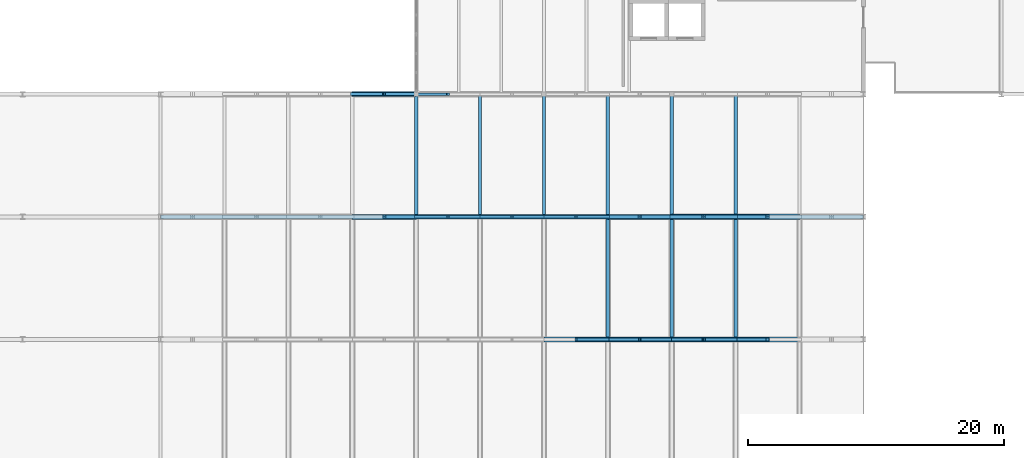
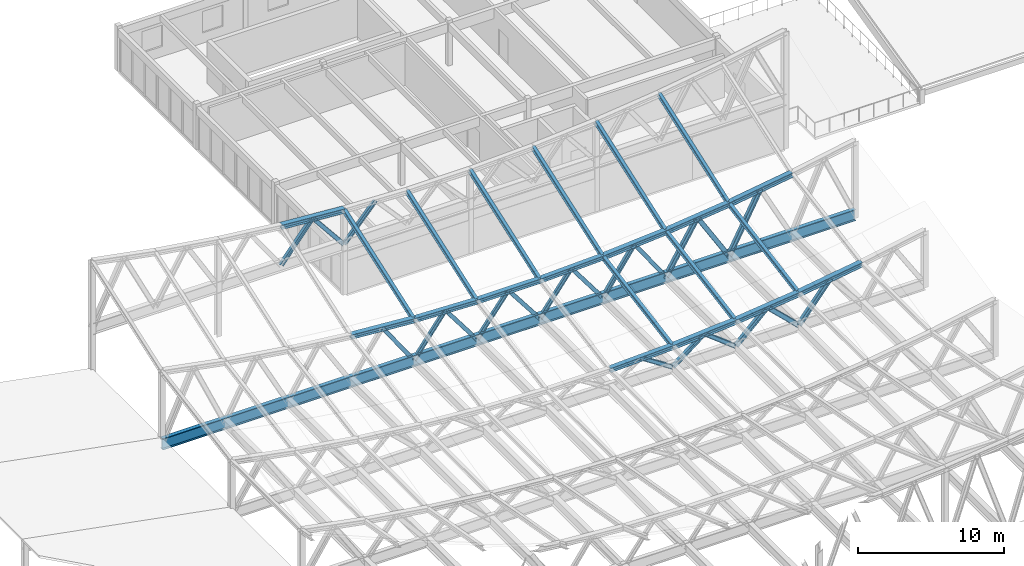
# One storey, part 11 of 40: 42 members, 1 beam, 1 element without a shape of its own.
"""IFC4 building model written with IfcOpenShell, lengths in metres."""

from ifc_helpers import new_model, si_unit, direction, frame, origin, origin_2d, place, context, subcontext, project, spatial, i_section, extrude, material, material_profile, profile_set, type_object, element, aggregate, save


model = new_model("IFC4")

# Units and contexts
model_context = context("Model", 3, precision=1e-05, world=origin(), true_north=direction((0.0, 1.0)))
body_context = subcontext(model_context, "Body", "Model", "MODEL_VIEW")
ifc_project = project(units=[si_unit("LENGTHUNIT", "METRE"), si_unit("AREAUNIT", "SQUARE_METRE"), si_unit("VOLUMEUNIT", "CUBIC_METRE"), si_unit("PLANEANGLEUNIT", "RADIAN"), si_unit("MASSUNIT", "GRAM", prefix="KILO")], contexts=[model_context])

# Site, building, storey
site_placement = place(None, origin())
site = spatial("IfcSite", under=ifc_project, at=site_placement, CompositionType="ELEMENT")
building_placement = place(site_placement, origin())
building = spatial("IfcBuilding", under=site, at=building_placement, Name="Veldera Park Congress Hotel", CompositionType="ELEMENT")
storey_placement = place(building_placement, frame((0.0, 0.0, 16.199951171875)))
storey = spatial("IfcBuildingStorey", under=building, at=storey_placement, Name="L03", CompositionType="ELEMENT", Elevation=16.199951171875)

# Beam
ifc_material_1 = material(Name="Steel ASTM A992 Gr.50", Category="steel")
ifc_material_profile_1 = material_profile(ifc_material_1, i_section(OverallWidth=0.31005859375, OverallDepth=0.949951171875, WebThickness=0.0244140625, FlangeThickness=0.0439453125, at=origin_2d()), Name="W36X256")
ifc_profile_set_1 = profile_set([ifc_material_profile_1], Name="Steel ASTM A992 Gr.50")
beam_type = type_object("IfcBeamType", Name="BM-W36", PredefinedType="BEAM", material=ifc_profile_set_1)
beam_placement = place(storey_placement, frame((-67.39990234375, 17.39990234375, 0.25), z_axis=(1.0, 0.0, 0.0), x_axis=(0.0, 1.0, 0.0)))
element("IfcBeam", 1, at=beam_placement, inside=storey, type_object=beam_type, Name="Plenary Space Frame Main Bottom Tie Girder 5", PredefinedType="BEAM", context=body_context, shape_type="SweptSolid", body=[
    extrude(i_section(OverallWidth=0.31005859375, OverallDepth=0.949951171875, WebThickness=0.0244140625, FlangeThickness=0.0439453125, at=origin_2d()), origin(), (0.0, 0.0, 1.0), 55.0),
])

# Roof, members
ifc_material_2 = material(Name="Cross-laminated timber CLT V2M1.1", Category="wood")
roof_type = type_object("IfcRoofType", Name="ROOF-PAV", PredefinedType="PAVILION_ROOF", material=ifc_material_2)
roof_placement = place(storey_placement, origin())
roof = element("IfcRoof", 2, at=roof_placement, inside=storey, type_object=roof_type, Name="Plenary Congress Pavilion Sweeping Space Frame Roof", PredefinedType="PAVILION_ROOF")
ifc_material_profile_2 = material_profile(ifc_material_1, i_section(OverallWidth=0.3740234375, OverallDepth=0.3720703125, WebThickness=0.016357421875, FlangeThickness=0.026123046875, at=origin_2d()), Name="W14X132")
ifc_profile_set_2 = profile_set([ifc_material_profile_2], Name="Steel ASTM A992 Gr.50")
member_type_1 = type_object("IfcMemberType", Name="TR-CHD132", PredefinedType="CHORD", material=ifc_profile_set_2)
member_1_placement = place(storey_placement, frame((-37.39990234375, 7.800048828125, 1.787353515625), z_axis=(0.999260597951, 0.0, 0.038448112851), x_axis=(0.0, 1.0, 0.0)))
member_1 = element("IfcMember", 3, at=member_1_placement, type_object=member_type_1, Name="Plenary Roof Space Frame Top Chord 40", PredefinedType="CHORD", context=body_context, shape_type="SweptSolid", body=[
    extrude(i_section(OverallWidth=0.3740234375, OverallDepth=0.3720703125, WebThickness=0.016357421875, FlangeThickness=0.026123046875, at=origin_2d()), origin(), (0.0, 0.0, 1.0), 5.003662109375),
])
member_2_placement = place(storey_placement, frame((-47.39990234375, 17.39990234375, 3.661865234375), z_axis=(0.999317571557, 0.0, -0.036937666097), x_axis=(0.0, 1.0, 0.0)))
member_2 = element("IfcMember", 4, at=member_2_placement, type_object=member_type_1, Name="Plenary Roof Space Frame Top Chord 49", PredefinedType="CHORD", context=body_context, shape_type="SweptSolid", body=[
    extrude(i_section(OverallWidth=0.3740234375, OverallDepth=0.3720703125, WebThickness=0.016357421875, FlangeThickness=0.026123046875, at=origin_2d()), origin(), (0.0, 0.0, 1.0), 5.00341796875),
])
member_3_placement = place(storey_placement, frame((-42.39990234375, 17.39990234375, 3.47705078125), z_axis=(0.999999731779, 0.0, 0.000732421679), x_axis=(0.0, 1.0, 0.0)))
member_3 = element("IfcMember", 5, at=member_3_placement, type_object=member_type_1, Name="Plenary Roof Space Frame Top Chord 50", PredefinedType="CHORD", context=body_context, shape_type="SweptSolid", body=[
    extrude(i_section(OverallWidth=0.3740234375, OverallDepth=0.3720703125, WebThickness=0.016357421875, FlangeThickness=0.026123046875, at=origin_2d()), origin(), (0.0, 0.0, 1.0), 5.0),
])
member_4_placement = place(storey_placement, frame((-37.39990234375, 17.39990234375, 3.480712890625), z_axis=(0.999258722193, 0.0, 0.038496832608), x_axis=(0.0, 1.0, 0.0)))
member_4 = element("IfcMember", 6, at=member_4_placement, type_object=member_type_1, Name="Plenary Roof Space Frame Top Chord 51", PredefinedType="CHORD", context=body_context, shape_type="SweptSolid", body=[
    extrude(i_section(OverallWidth=0.3740234375, OverallDepth=0.3720703125, WebThickness=0.016357421875, FlangeThickness=0.026123046875, at=origin_2d()), origin(), (0.0, 0.0, 1.0), 5.003662109375),
])
ifc_material_profile_3 = material_profile(ifc_material_1, i_section(OverallWidth=0.39599609375, OverallDepth=0.381103515625, WebThickness=0.018798828125, FlangeThickness=0.0302734375, at=origin_2d()), Name="W14X159")
ifc_profile_set_3 = profile_set([ifc_material_profile_3], Name="Steel ASTM A992 Gr.50")
member_type_2 = type_object("IfcMemberType", Name="TR-CHD159", PredefinedType="CHORD", material=ifc_profile_set_3)
member_5_placement = place(storey_placement, frame((-32.39990234375, 7.800048828125, 1.979736328125), z_axis=(0.99710410734, 0.0, 0.076048662874), x_axis=(0.0, 1.0, 0.0)))
member_5 = element("IfcMember", 7, at=member_5_placement, type_object=member_type_2, Name="Plenary Roof Space Frame Top Chord 41", PredefinedType="CHORD", context=body_context, shape_type="SweptSolid", body=[
    extrude(i_section(OverallWidth=0.39599609375, OverallDepth=0.381103515625, WebThickness=0.018798828125, FlangeThickness=0.0302734375, at=origin_2d()), origin(), (0.0, 0.0, 1.0), 5.014404296875),
])
member_6_placement = place(storey_placement, frame((-52.39990234375, 17.39990234375, 4.03564453125), z_axis=(0.997217437961, 0.0, -0.074547846559), x_axis=(0.0, 1.0, 0.0)))
member_6 = element("IfcMember", 8, at=member_6_placement, type_object=member_type_2, Name="Plenary Roof Space Frame Top Chord 48", PredefinedType="CHORD", context=body_context, shape_type="SweptSolid", body=[
    extrude(i_section(OverallWidth=0.39599609375, OverallDepth=0.381103515625, WebThickness=0.018798828125, FlangeThickness=0.0302734375, at=origin_2d()), origin(), (0.0, 0.0, 1.0), 5.013916015625),
])
member_7_placement = place(storey_placement, frame((-32.39990234375, 17.39990234375, 3.67333984375), z_axis=(0.997107798017, 0.0, 0.076000257456), x_axis=(0.0, 1.0, 0.0)))
member_7 = element("IfcMember", 9, at=member_7_placement, type_object=member_type_2, Name="Plenary Roof Space Frame Top Chord 52", PredefinedType="CHORD", context=body_context, shape_type="SweptSolid", body=[
    extrude(i_section(OverallWidth=0.39599609375, OverallDepth=0.381103515625, WebThickness=0.018798828125, FlangeThickness=0.0302734375, at=origin_2d()), origin(), (0.0, 0.0, 1.0), 5.014404296875),
])
member_8_placement = place(storey_placement, frame((-52.39990234375, 27.0, 7.42236328125), z_axis=(0.997221056601, 0.0, -0.074499424639), x_axis=(0.0, 1.0, 0.0)))
member_8 = element("IfcMember", 10, at=member_8_placement, type_object=member_type_2, Name="Plenary Roof Space Frame Top Chord 59", PredefinedType="CHORD", context=body_context, shape_type="SweptSolid", body=[
    extrude(i_section(OverallWidth=0.39599609375, OverallDepth=0.381103515625, WebThickness=0.018798828125, FlangeThickness=0.0302734375, at=origin_2d()), origin(), (0.0, 0.0, 1.0), 5.013916015625),
])
ifc_material_profile_4 = material_profile(ifc_material_1, i_section(OverallWidth=0.39697265625, OverallDepth=0.386962890625, WebThickness=0.02099609375, FlangeThickness=0.033203125, at=origin_2d()), Name="W14X176")
ifc_profile_set_4 = profile_set([ifc_material_profile_4], Name="Steel ASTM A992 Gr.50")
member_type_3 = type_object("IfcMemberType", Name="TR-CHD176", PredefinedType="CHORD", material=ifc_profile_set_4)
member_9_placement = place(storey_placement, frame((-27.39990234375, 7.800048828125, 2.361083984375), z_axis=(0.993563129002, 0.0, 0.113279780577), x_axis=(0.0, 1.0, 0.0)))
member_9 = element("IfcMember", 11, at=member_9_placement, type_object=member_type_3, Name="Plenary Roof Space Frame Top Chord 42", PredefinedType="CHORD", context=body_context, shape_type="SweptSolid", body=[
    extrude(i_section(OverallWidth=0.39697265625, OverallDepth=0.386962890625, WebThickness=0.02099609375, FlangeThickness=0.033203125, at=origin_2d()), origin(), (0.0, 0.0, 1.0), 5.032470703125),
])
member_10_placement = place(storey_placement, frame((-27.39990234375, 17.39990234375, 4.054443359375), z_axis=(0.993563129002, 0.0, 0.113279780577), x_axis=(0.0, 1.0, 0.0)))
member_10 = element("IfcMember", 12, at=member_10_placement, type_object=member_type_3, Name="Plenary Roof Space Frame Top Chord 53", PredefinedType="CHORD", context=body_context, shape_type="SweptSolid", body=[
    extrude(i_section(OverallWidth=0.39697265625, OverallDepth=0.386962890625, WebThickness=0.02099609375, FlangeThickness=0.033203125, at=origin_2d()), origin(), (0.0, 0.0, 1.0), 5.032470703125),
])
ifc_material_profile_5 = material_profile(ifc_material_1, i_section(OverallWidth=0.40087890625, OverallDepth=0.39892578125, WebThickness=0.02490234375, FlangeThickness=0.03955078125, at=origin_2d()), Name="W14X211")
ifc_profile_set_5 = profile_set([ifc_material_profile_5], Name="Steel ASTM A992 Gr.50")
member_type_4 = type_object("IfcMemberType", Name="TR-CHD211", PredefinedType="CHORD", material=ifc_profile_set_5)
member_11_placement = place(storey_placement, frame((-22.39990234375, 7.800048828125, 2.93115234375), z_axis=(0.98868710173, 0.0, 0.149992716068), x_axis=(0.0, 1.0, 0.0)))
member_11 = element("IfcMember", 13, at=member_11_placement, type_object=member_type_4, Name="Plenary Roof Space Frame Top Chord 43", PredefinedType="CHORD", context=body_context, shape_type="SweptSolid", body=[
    extrude(i_section(OverallWidth=0.40087890625, OverallDepth=0.39892578125, WebThickness=0.02490234375, FlangeThickness=0.03955078125, at=origin_2d()), origin(), (0.0, 0.0, 1.0), 5.05712890625),
])
member_12_placement = place(storey_placement, frame((-22.39990234375, 17.39990234375, 4.62451171875), z_axis=(0.98868710173, 0.0, 0.149992716068), x_axis=(0.0, 1.0, 0.0)))
member_12 = element("IfcMember", 14, at=member_12_placement, type_object=member_type_4, Name="Plenary Roof Space Frame Top Chord 54", PredefinedType="CHORD", context=body_context, shape_type="SweptSolid", body=[
    extrude(i_section(OverallWidth=0.40087890625, OverallDepth=0.39892578125, WebThickness=0.02490234375, FlangeThickness=0.03955078125, at=origin_2d()), origin(), (0.0, 0.0, 1.0), 5.05712890625),
])
ifc_material_profile_6 = material_profile(ifc_material_1, i_section(OverallWidth=0.205078125, OverallDepth=0.31005859375, WebThickness=0.009521484375, FlangeThickness=0.016357421875, at=origin_2d()), Name="W12X50")
ifc_profile_set_6 = profile_set([ifc_material_profile_6], Name="Steel ASTM A992 Gr.50")
member_type_5 = type_object("IfcMemberType", Name="TR-WEB50", PredefinedType="MEMBER", material=ifc_profile_set_6)
member_13_placement = place(storey_placement, frame((-32.39990234375, 7.800048828125, 0.25), z_axis=(-0.837133756726, 0.0, 0.546998238892), x_axis=(0.0, -1.0, 0.0)))
member_13 = element("IfcMember", 15, at=member_13_placement, type_object=member_type_5, Name="Plenary Roof Space Frame Web B 40", PredefinedType="MEMBER", context=body_context, shape_type="SweptSolid", body=[
    extrude(i_section(OverallWidth=0.205078125, OverallDepth=0.31005859375, WebThickness=0.009521484375, FlangeThickness=0.016357421875, at=origin_2d()), origin(), (0.0, 0.0, 1.0), 2.986328125),
])
member_14_placement = place(storey_placement, frame((-47.39990234375, 17.39990234375, 0.25), z_axis=(0.601615616572, 0.0, 0.79878573466), x_axis=(0.0, 1.0, 0.0)))
member_14 = element("IfcMember", 16, at=member_14_placement, type_object=member_type_5, Name="Plenary Roof Space Frame Web A 49", PredefinedType="MEMBER", context=body_context, shape_type="SweptSolid", body=[
    extrude(i_section(OverallWidth=0.205078125, OverallDepth=0.31005859375, WebThickness=0.009521484375, FlangeThickness=0.016357421875, at=origin_2d()), origin(), (0.0, 0.0, 1.0), 4.155517578125),
])
member_15_placement = place(storey_placement, frame((-42.39990234375, 17.39990234375, 0.25), z_axis=(-0.601615616572, 0.0, 0.79878573466), x_axis=(0.0, -1.0, 0.0)))
member_15 = element("IfcMember", 17, at=member_15_placement, type_object=member_type_5, Name="Plenary Roof Space Frame Web B 49", PredefinedType="MEMBER", context=body_context, shape_type="SweptSolid", body=[
    extrude(i_section(OverallWidth=0.205078125, OverallDepth=0.31005859375, WebThickness=0.009521484375, FlangeThickness=0.016357421875, at=origin_2d()), origin(), (0.0, 0.0, 1.0), 4.155517578125),
])
member_16_placement = place(storey_placement, frame((-42.39990234375, 17.39990234375, 0.25), z_axis=(0.612221426198, 0.0, 0.790686363424), x_axis=(0.0, 1.0, 0.0)))
member_16 = element("IfcMember", 18, at=member_16_placement, type_object=member_type_5, Name="Plenary Roof Space Frame Web A 50", PredefinedType="MEMBER", context=body_context, shape_type="SweptSolid", body=[
    extrude(i_section(OverallWidth=0.205078125, OverallDepth=0.31005859375, WebThickness=0.009521484375, FlangeThickness=0.016357421875, at=origin_2d()), origin(), (0.0, 0.0, 1.0), 4.08349609375),
])
member_17_placement = place(storey_placement, frame((-37.39990234375, 17.39990234375, 0.25), z_axis=(-0.612221426198, 0.0, 0.790686363424), x_axis=(0.0, -1.0, 0.0)))
member_17 = element("IfcMember", 19, at=member_17_placement, type_object=member_type_5, Name="Plenary Roof Space Frame Web B 50", PredefinedType="MEMBER", context=body_context, shape_type="SweptSolid", body=[
    extrude(i_section(OverallWidth=0.205078125, OverallDepth=0.31005859375, WebThickness=0.009521484375, FlangeThickness=0.016357421875, at=origin_2d()), origin(), (0.0, 0.0, 1.0), 4.08349609375),
])
member_18_placement = place(storey_placement, frame((-37.39990234375, 17.39990234375, 0.25), z_axis=(0.600741282263, 0.0, 0.799443501309), x_axis=(0.0, 1.0, 0.0)))
member_18 = element("IfcMember", 20, at=member_18_placement, type_object=member_type_5, Name="Plenary Roof Space Frame Web A 51", PredefinedType="MEMBER", context=body_context, shape_type="SweptSolid", body=[
    extrude(i_section(OverallWidth=0.205078125, OverallDepth=0.31005859375, WebThickness=0.009521484375, FlangeThickness=0.016357421875, at=origin_2d()), origin(), (0.0, 0.0, 1.0), 4.16162109375),
])
member_19_placement = place(storey_placement, frame((-32.39990234375, 17.39990234375, 0.25), z_axis=(-0.600741282263, 0.0, 0.799443501309), x_axis=(0.0, -1.0, 0.0)))
member_19 = element("IfcMember", 21, at=member_19_placement, type_object=member_type_5, Name="Plenary Roof Space Frame Web B 51", PredefinedType="MEMBER", context=body_context, shape_type="SweptSolid", body=[
    extrude(i_section(OverallWidth=0.205078125, OverallDepth=0.31005859375, WebThickness=0.009521484375, FlangeThickness=0.016357421875, at=origin_2d()), origin(), (0.0, 0.0, 1.0), 4.16162109375),
])
member_20_placement = place(storey_placement, frame((-47.39990234375, 27.0, 4.150146484375), z_axis=(0.665202091314, 0.0, 0.746663363043), x_axis=(0.0, 1.0, 0.0)))
member_20 = element("IfcMember", 22, at=member_20_placement, type_object=member_type_5, Name="Plenary Roof Space Frame Web A 60", PredefinedType="MEMBER", context=body_context, shape_type="SweptSolid", body=[
    extrude(i_section(OverallWidth=0.205078125, OverallDepth=0.31005859375, WebThickness=0.009521484375, FlangeThickness=0.016357421875, at=origin_2d()), origin(), (0.0, 0.0, 1.0), 3.75830078125),
])
ifc_material_profile_7 = material_profile(ifc_material_1, i_section(OverallWidth=0.25390625, OverallDepth=0.31005859375, WebThickness=0.009033203125, FlangeThickness=0.016357421875, at=origin_2d()), Name="W12X58")
ifc_profile_set_7 = profile_set([ifc_material_profile_7], Name="Steel ASTM A992 Gr.50")
member_type_6 = type_object("IfcMemberType", Name="TR-WEB58", PredefinedType="MEMBER", material=ifc_profile_set_7)
member_21_placement = place(storey_placement, frame((-32.39990234375, 7.800048828125, 0.25), z_axis=(0.793032626251, 0.0, 0.609179163876), x_axis=(0.0, 1.0, 0.0)))
member_21 = element("IfcMember", 23, at=member_21_placement, type_object=member_type_6, Name="Plenary Roof Space Frame Web A 41", PredefinedType="MEMBER", context=body_context, shape_type="SweptSolid", body=[
    extrude(i_section(OverallWidth=0.25390625, OverallDepth=0.31005859375, WebThickness=0.009033203125, FlangeThickness=0.016357421875, at=origin_2d()), origin(), (0.0, 0.0, 1.0), 3.15234375),
])
member_22_placement = place(storey_placement, frame((-27.39990234375, 7.800048828125, 0.25), z_axis=(-0.793032626251, 0.0, 0.609179163876), x_axis=(0.0, -1.0, 0.0)))
member_22 = element("IfcMember", 24, at=member_22_placement, type_object=member_type_6, Name="Plenary Roof Space Frame Web B 41", PredefinedType="MEMBER", context=body_context, shape_type="SweptSolid", body=[
    extrude(i_section(OverallWidth=0.25390625, OverallDepth=0.31005859375, WebThickness=0.009033203125, FlangeThickness=0.016357421875, at=origin_2d()), origin(), (0.0, 0.0, 1.0), 3.15234375),
])
member_23_placement = place(storey_placement, frame((-47.39990234375, 17.39990234375, 0.25), z_axis=(-0.570541981426, 0.0, 0.821268438107), x_axis=(0.0, -1.0, 0.0)))
member_23 = element("IfcMember", 25, at=member_23_placement, type_object=member_type_6, Name="Plenary Roof Space Frame Web B 48", PredefinedType="MEMBER", context=body_context, shape_type="SweptSolid", body=[
    extrude(i_section(OverallWidth=0.25390625, OverallDepth=0.31005859375, WebThickness=0.009033203125, FlangeThickness=0.016357421875, at=origin_2d()), origin(), (0.0, 0.0, 1.0), 4.3818359375),
])
member_24_placement = place(storey_placement, frame((-32.39990234375, 17.39990234375, 0.25), z_axis=(0.568926815095, 0.0, 0.822388155961), x_axis=(0.0, 1.0, 0.0)))
member_24 = element("IfcMember", 26, at=member_24_placement, type_object=member_type_6, Name="Plenary Roof Space Frame Web A 52", PredefinedType="MEMBER", context=body_context, shape_type="SweptSolid", body=[
    extrude(i_section(OverallWidth=0.25390625, OverallDepth=0.31005859375, WebThickness=0.009033203125, FlangeThickness=0.016357421875, at=origin_2d()), origin(), (0.0, 0.0, 1.0), 4.394287109375),
])
member_25_placement = place(storey_placement, frame((-27.39990234375, 17.39990234375, 0.25), z_axis=(-0.568926815095, 0.0, 0.822388155961), x_axis=(0.0, -1.0, 0.0)))
member_25 = element("IfcMember", 27, at=member_25_placement, type_object=member_type_6, Name="Plenary Roof Space Frame Web B 52", PredefinedType="MEMBER", context=body_context, shape_type="SweptSolid", body=[
    extrude(i_section(OverallWidth=0.25390625, OverallDepth=0.31005859375, WebThickness=0.009033203125, FlangeThickness=0.016357421875, at=origin_2d()), origin(), (0.0, 0.0, 1.0), 4.394287109375),
])
member_26_placement = place(storey_placement, frame((-52.39990234375, 27.0, 4.150146484375), z_axis=(0.629541268703, 0.0, 0.776967046276), x_axis=(0.0, 1.0, 0.0)))
member_26 = element("IfcMember", 28, at=member_26_placement, type_object=member_type_6, Name="Plenary Roof Space Frame Web A 59", PredefinedType="MEMBER", context=body_context, shape_type="SweptSolid", body=[
    extrude(i_section(OverallWidth=0.25390625, OverallDepth=0.31005859375, WebThickness=0.009033203125, FlangeThickness=0.016357421875, at=origin_2d()), origin(), (0.0, 0.0, 1.0), 3.97119140625),
])
member_27_placement = place(storey_placement, frame((-47.39990234375, 27.0, 4.150146484375), z_axis=(-0.629541268703, 0.0, 0.776967046276), x_axis=(0.0, -1.0, 0.0)))
member_27 = element("IfcMember", 29, at=member_27_placement, type_object=member_type_6, Name="Plenary Roof Space Frame Web B 59", PredefinedType="MEMBER", context=body_context, shape_type="SweptSolid", body=[
    extrude(i_section(OverallWidth=0.25390625, OverallDepth=0.31005859375, WebThickness=0.009033203125, FlangeThickness=0.016357421875, at=origin_2d()), origin(), (0.0, 0.0, 1.0), 3.97119140625),
])
ifc_material_profile_8 = material_profile(ifc_material_1, i_section(OverallWidth=0.25390625, OverallDepth=0.35595703125, WebThickness=0.010498046875, FlangeThickness=0.018310546875, at=origin_2d()), Name="W14X68")
ifc_profile_set_8 = profile_set([ifc_material_profile_8], Name="Steel ASTM A992 Gr.50")
member_type_7 = type_object("IfcMemberType", Name="TR-WEB68", PredefinedType="MEMBER", material=ifc_profile_set_8)
member_28_placement = place(storey_placement, frame((-27.39990234375, 7.800048828125, 0.25), z_axis=(0.721964724512, 0.0, 0.691929863903), x_axis=(0.0, 1.0, 0.0)))
member_28 = element("IfcMember", 30, at=member_28_placement, type_object=member_type_7, Name="Plenary Roof Space Frame Web A 42", PredefinedType="MEMBER", context=body_context, shape_type="SweptSolid", body=[
    extrude(i_section(OverallWidth=0.25390625, OverallDepth=0.35595703125, WebThickness=0.010498046875, FlangeThickness=0.018310546875, at=origin_2d()), origin(), (0.0, 0.0, 1.0), 3.462890625),
])
member_29_placement = place(storey_placement, frame((-22.39990234375, 7.800048828125, 0.25), z_axis=(-0.721964724512, 0.0, 0.691929863903), x_axis=(0.0, -1.0, 0.0)))
member_29 = element("IfcMember", 31, at=member_29_placement, type_object=member_type_7, Name="Plenary Roof Space Frame Web B 42", PredefinedType="MEMBER", context=body_context, shape_type="SweptSolid", body=[
    extrude(i_section(OverallWidth=0.25390625, OverallDepth=0.35595703125, WebThickness=0.010498046875, FlangeThickness=0.018310546875, at=origin_2d()), origin(), (0.0, 0.0, 1.0), 3.462890625),
])
member_30_placement = place(storey_placement, frame((-27.39990234375, 17.39990234375, 0.25), z_axis=(0.521594227937, 0.0, 0.853193683393), x_axis=(0.0, 1.0, 0.0)))
member_30 = element("IfcMember", 32, at=member_30_placement, type_object=member_type_7, Name="Plenary Roof Space Frame Web A 53", PredefinedType="MEMBER", context=body_context, shape_type="SweptSolid", body=[
    extrude(i_section(OverallWidth=0.25390625, OverallDepth=0.35595703125, WebThickness=0.010498046875, FlangeThickness=0.018310546875, at=origin_2d()), origin(), (0.0, 0.0, 1.0), 4.79296875),
])
member_31_placement = place(storey_placement, frame((-22.39990234375, 17.39990234375, 0.25), z_axis=(-0.521594227937, 0.0, 0.853193683393), x_axis=(0.0, -1.0, 0.0)))
member_31 = element("IfcMember", 33, at=member_31_placement, type_object=member_type_7, Name="Plenary Roof Space Frame Web B 53", PredefinedType="MEMBER", context=body_context, shape_type="SweptSolid", body=[
    extrude(i_section(OverallWidth=0.25390625, OverallDepth=0.35595703125, WebThickness=0.010498046875, FlangeThickness=0.018310546875, at=origin_2d()), origin(), (0.0, 0.0, 1.0), 4.79296875),
])
member_32_placement = place(storey_placement, frame((-47.39990234375, 17.39990234375, 3.661865234375), z_axis=(0.0, 0.943030616878, 0.332705959716), x_axis=(-1.0, 0.0, 0.0)))
member_32 = element("IfcMember", 34, at=member_32_placement, type_object=member_type_7, Name="Plenary Space Frame Cross Chord 91", PredefinedType="MEMBER", context=body_context, shape_type="SweptSolid", body=[
    extrude(i_section(OverallWidth=0.25390625, OverallDepth=0.35595703125, WebThickness=0.010498046875, FlangeThickness=0.018310546875, at=origin_2d()), origin(), (0.0, 0.0, 1.0), 10.179931640625),
])
member_33_placement = place(storey_placement, frame((-42.39990234375, 17.39990234375, 3.47705078125), z_axis=(0.0, 0.943038141178, 0.332684631871), x_axis=(-1.0, 0.0, 0.0)))
member_33 = element("IfcMember", 35, at=member_33_placement, type_object=member_type_7, Name="Plenary Space Frame Cross Chord 96", PredefinedType="MEMBER", context=body_context, shape_type="SweptSolid", body=[
    extrude(i_section(OverallWidth=0.25390625, OverallDepth=0.35595703125, WebThickness=0.010498046875, FlangeThickness=0.018310546875, at=origin_2d()), origin(), (0.0, 0.0, 1.0), 10.179931640625),
])
member_34_placement = place(storey_placement, frame((-37.39990234375, 17.39990234375, 3.480712890625), z_axis=(0.0, 0.943038141178, 0.332684631871), x_axis=(-1.0, 0.0, 0.0)))
member_34 = element("IfcMember", 36, at=member_34_placement, type_object=member_type_7, Name="Plenary Space Frame Cross Chord 101", PredefinedType="MEMBER", context=body_context, shape_type="SweptSolid", body=[
    extrude(i_section(OverallWidth=0.25390625, OverallDepth=0.35595703125, WebThickness=0.010498046875, FlangeThickness=0.018310546875, at=origin_2d()), origin(), (0.0, 0.0, 1.0), 10.179931640625),
])
member_35_placement = place(storey_placement, frame((-32.39990234375, 7.800048828125, 1.979736328125), z_axis=(0.0, 0.984792130049, 0.173736756597), x_axis=(-1.0, 0.0, 0.0)))
member_35 = element("IfcMember", 37, at=member_35_placement, type_object=member_type_7, Name="Plenary Space Frame Cross Chord 105", PredefinedType="MEMBER", context=body_context, shape_type="SweptSolid", body=[
    extrude(i_section(OverallWidth=0.25390625, OverallDepth=0.35595703125, WebThickness=0.010498046875, FlangeThickness=0.018310546875, at=origin_2d()), origin(), (0.0, 0.0, 1.0), 9.748046875),
])
member_36_placement = place(storey_placement, frame((-32.39990234375, 17.39990234375, 3.67333984375), z_axis=(0.0, 0.943038141178, 0.332684631871), x_axis=(-1.0, 0.0, 0.0)))
member_36 = element("IfcMember", 38, at=member_36_placement, type_object=member_type_7, Name="Plenary Space Frame Cross Chord 106", PredefinedType="MEMBER", context=body_context, shape_type="SweptSolid", body=[
    extrude(i_section(OverallWidth=0.25390625, OverallDepth=0.35595703125, WebThickness=0.010498046875, FlangeThickness=0.018310546875, at=origin_2d()), origin(), (0.0, 0.0, 1.0), 10.179931640625),
])
member_37_placement = place(storey_placement, frame((-27.39990234375, 7.800048828125, 2.361083984375), z_axis=(0.0, 0.984796414822, 0.173712467465), x_axis=(-1.0, 0.0, 0.0)))
member_37 = element("IfcMember", 39, at=member_37_placement, type_object=member_type_7, Name="Plenary Space Frame Cross Chord 110", PredefinedType="MEMBER", context=body_context, shape_type="SweptSolid", body=[
    extrude(i_section(OverallWidth=0.25390625, OverallDepth=0.35595703125, WebThickness=0.010498046875, FlangeThickness=0.018310546875, at=origin_2d()), origin(), (0.0, 0.0, 1.0), 9.748046875),
])
member_38_placement = place(storey_placement, frame((-27.39990234375, 17.39990234375, 4.054443359375), z_axis=(0.0, 0.943030616878, 0.332705959716), x_axis=(-1.0, 0.0, 0.0)))
member_38 = element("IfcMember", 40, at=member_38_placement, type_object=member_type_7, Name="Plenary Space Frame Cross Chord 111", PredefinedType="MEMBER", context=body_context, shape_type="SweptSolid", body=[
    extrude(i_section(OverallWidth=0.25390625, OverallDepth=0.35595703125, WebThickness=0.010498046875, FlangeThickness=0.018310546875, at=origin_2d()), origin(), (0.0, 0.0, 1.0), 10.179931640625),
])
member_39_placement = place(storey_placement, frame((-22.39990234375, 7.800048828125, 2.93115234375), z_axis=(0.0, 0.984796414822, 0.173712467465), x_axis=(-1.0, 0.0, 0.0)))
member_39 = element("IfcMember", 41, at=member_39_placement, type_object=member_type_7, Name="Plenary Space Frame Cross Chord 115", PredefinedType="MEMBER", context=body_context, shape_type="SweptSolid", body=[
    extrude(i_section(OverallWidth=0.25390625, OverallDepth=0.35595703125, WebThickness=0.010498046875, FlangeThickness=0.018310546875, at=origin_2d()), origin(), (0.0, 0.0, 1.0), 9.748046875),
])
member_40_placement = place(storey_placement, frame((-22.39990234375, 17.39990234375, 4.62451171875), z_axis=(0.0, 0.943038141178, 0.332684631871), x_axis=(-1.0, 0.0, 0.0)))
member_40 = element("IfcMember", 42, at=member_40_placement, type_object=member_type_7, Name="Plenary Space Frame Cross Chord 116", PredefinedType="MEMBER", context=body_context, shape_type="SweptSolid", body=[
    extrude(i_section(OverallWidth=0.25390625, OverallDepth=0.35595703125, WebThickness=0.010498046875, FlangeThickness=0.018310546875, at=origin_2d()), origin(), (0.0, 0.0, 1.0), 10.179931640625),
])
ifc_material_profile_9 = material_profile(ifc_material_1, i_section(OverallWidth=0.257080078125, OverallDepth=0.363037109375, WebThickness=0.012939453125, FlangeThickness=0.021728515625, at=origin_2d()), Name="W14X82")
ifc_profile_set_9 = profile_set([ifc_material_profile_9], Name="Steel ASTM A992 Gr.50")
member_type_8 = type_object("IfcMemberType", Name="TR-WEB82", PredefinedType="MEMBER", material=ifc_profile_set_9)
member_41_placement = place(storey_placement, frame((-22.39990234375, 7.800048828125, 0.25), z_axis=(0.632618572795, 0.0, 0.774463518414), x_axis=(0.0, 1.0, 0.0)))
member_41 = element("IfcMember", 43, at=member_41_placement, type_object=member_type_8, Name="Plenary Roof Space Frame Web A 43", PredefinedType="MEMBER", context=body_context, shape_type="SweptSolid", body=[
    extrude(i_section(OverallWidth=0.257080078125, OverallDepth=0.363037109375, WebThickness=0.012939453125, FlangeThickness=0.021728515625, at=origin_2d()), origin(), (0.0, 0.0, 1.0), 3.951904296875),
])
member_42_placement = place(storey_placement, frame((-22.39990234375, 17.39990234375, 0.25), z_axis=(0.465465393137, 0.0, 0.885066081031), x_axis=(0.0, 1.0, 0.0)))
member_42 = element("IfcMember", 44, at=member_42_placement, type_object=member_type_8, Name="Plenary Roof Space Frame Web A 54", PredefinedType="MEMBER", context=body_context, shape_type="SweptSolid", body=[
    extrude(i_section(OverallWidth=0.257080078125, OverallDepth=0.363037109375, WebThickness=0.012939453125, FlangeThickness=0.021728515625, at=origin_2d()), origin(), (0.0, 0.0, 1.0), 5.370849609375),
])
aggregate(roof, [member_13, member_1, member_21, member_22, member_5, member_28, member_29, member_9, member_41, member_11, member_23, member_6, member_14, member_15, member_2, member_16, member_17, member_3, member_18, member_19, member_4, member_24, member_25, member_7, member_30, member_31, member_10, member_42, member_12, member_26, member_27, member_8, member_20, member_32, member_33, member_34, member_35, member_36, member_37, member_38, member_39, member_40])

save(model, "model.ifc")
